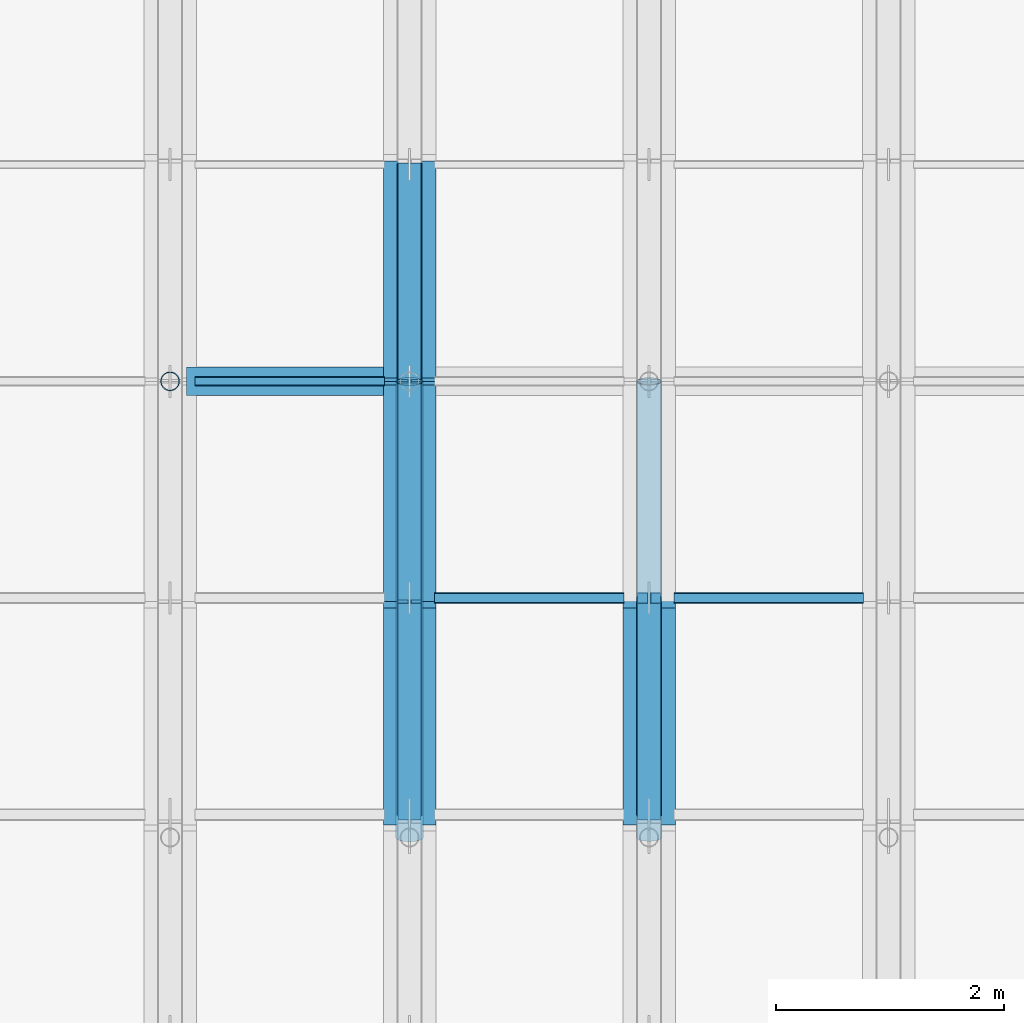
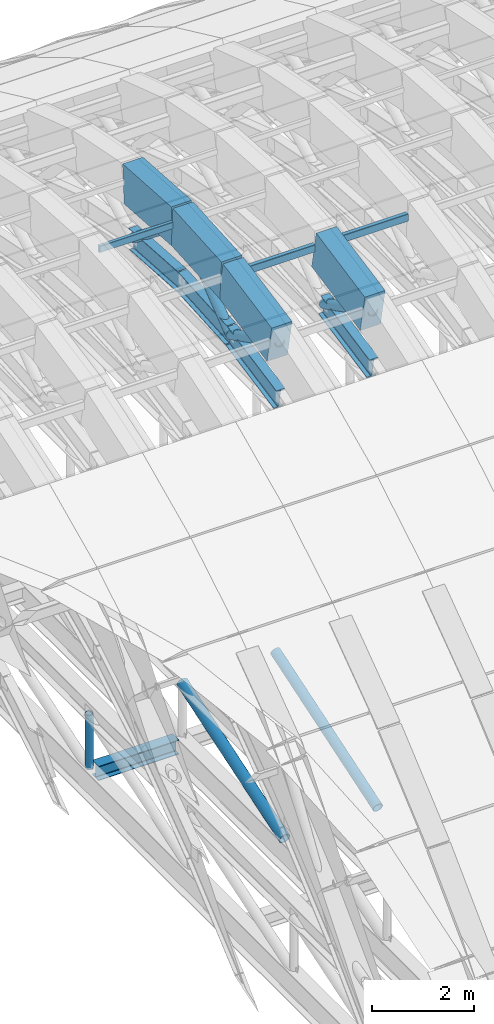
# One storey, part 16 of 67: 10 members, 9 beams.
"""IFC4 building model written with IfcOpenShell, lengths in metres."""

from ifc_helpers import new_model, si_unit, direction, frame, origin, origin_2d, place, context, subcontext, project, spatial, rectangle, hollow_rectangle, hollow_circle, i_section, extrude, material, material_profile, profile_set, type_object, element, save


model = new_model("IFC4")

# Units and contexts
model_context = context("Model", 3, precision=1e-05, world=origin(), true_north=direction((0.0, 1.0)))
body_context = subcontext(model_context, "Body", "Model", "MODEL_VIEW")
ifc_project = project(units=[si_unit("LENGTHUNIT", "METRE"), si_unit("AREAUNIT", "SQUARE_METRE"), si_unit("VOLUMEUNIT", "CUBIC_METRE"), si_unit("PLANEANGLEUNIT", "RADIAN"), si_unit("MASSUNIT", "GRAM", prefix="KILO")], contexts=[model_context])

# Site, building, storey
site_placement = place(None, origin())
site = spatial("IfcSite", under=ifc_project, at=site_placement, CompositionType="ELEMENT")
building_placement = place(site_placement, origin())
building = spatial("IfcBuilding", under=site, at=building_placement, Name="Shengluoqiao Park Theatre", CompositionType="ELEMENT")
storey_placement = place(building_placement, frame((0.0, 0.0, 28.60009765625)))
storey = spatial("IfcBuildingStorey", under=building, at=storey_placement, Name="Roof", CompositionType="ELEMENT", Elevation=28.60009765625)

# Beams
ifc_material_1 = material(Name="Concrete C50", Category="concrete")
ifc_material_profile_1 = material_profile(ifc_material_1, rectangle(XDim=0.4599609375, YDim=0.919921875, at=origin_2d()), Name="RC ARCH 460x920")
ifc_profile_set_1 = profile_set([ifc_material_profile_1], Name="Concrete C50")
beam_type_1 = type_object("IfcBeamType", Name="STR-BM-AR-4609", PredefinedType="BEAM", material=ifc_profile_set_1)
beam_1_placement = place(storey_placement, frame((65.39990234375, 91.199951171875, 2.075927734375), z_axis=(0.0, 0.980788534345, 0.195073962632), x_axis=(-1.0, 0.0, 0.0)))
element("IfcBeam", 1, at=beam_1_placement, inside=storey, type_object=beam_type_1, Name="Barrel-Shell Arch Rib R11-S09", PredefinedType="BEAM", context=body_context, shape_type="SweptSolid", body=[
    extrude(rectangle(XDim=0.4599609375, YDim=0.919921875, at=origin_2d()), origin(), (0.0, 0.0, 1.0), 1.937255859375),
])
for number, where, z_axis, x_axis, name in (
    (2, (65.39990234375, 93.10009765625, 2.453857421875), (0.0, 0.997808922354, 0.066161578506), (-1.0, 0.0, 0.0), "Barrel-Shell Arch Rib R11-S10"),
    (3, (65.39990234375, 95.0, 2.579833984375), (0.0, 0.997808922354, -0.066161578506), (-1.0, 0.0, 0.0), "Barrel-Shell Arch Rib R11-S11"),
):
    element("IfcBeam", number, at=place(storey_placement, frame(where, z_axis=z_axis, x_axis=x_axis)), inside=storey, type_object=beam_type_1, Name=name, PredefinedType="BEAM", context=body_context, shape_type="SweptSolid", body=[
        extrude(rectangle(XDim=0.4599609375, YDim=0.919921875, at=origin_2d()), origin(), (0.0, 0.0, 1.0), 1.904052734375),
    ])
beam_2_placement = place(storey_placement, frame((67.5, 91.199951171875, 2.075927734375), z_axis=(0.0, 0.980788534345, 0.195073962632), x_axis=(-1.0, 0.0, 0.0)))
element("IfcBeam", 4, at=beam_2_placement, inside=storey, type_object=beam_type_1, Name="Barrel-Shell Arch Rib R12-S09", PredefinedType="BEAM", context=body_context, shape_type="SweptSolid", body=[
    extrude(rectangle(XDim=0.4599609375, YDim=0.919921875, at=origin_2d()), origin(), (0.0, 0.0, 1.0), 1.937255859375),
])
ifc_material_2 = material(Name="Steel Q355", Category="steel")
ifc_material_profile_2 = material_profile(ifc_material_2, i_section(OverallWidth=0.25, OverallDepth=0.340087890625, WebThickness=0.009033203125, FlangeThickness=0.013916015625, FilletRadius=0.01611328125, at=origin_2d()), Name="HM 340x250x9x14")
ifc_profile_set_2 = profile_set([ifc_material_profile_2], Name="Steel Q355")
beam_type_2 = type_object("IfcBeamType", Name="STR-BM-G-HM340", PredefinedType="BEAM", material=ifc_profile_set_2)
beam_3_placement = place(storey_placement, frame((63.444091796875, 95.0, -9.77001953125), z_axis=(1.0, 0.0, 0.0), x_axis=(0.0, 1.0, 0.0)))
element("IfcBeam", 5, at=beam_3_placement, inside=storey, type_object=beam_type_2, Name="Auditorium Overhead Catwalk Girder R10-3", PredefinedType="BEAM", context=body_context, shape_type="SweptSolid", body=[
    extrude(i_section(OverallWidth=0.25, OverallDepth=0.340087890625, WebThickness=0.009033203125, FlangeThickness=0.013916015625, FilletRadius=0.01611328125, at=origin_2d()), origin(), (0.0, 0.0, 1.0), 1.81201171875),
])
ifc_material_profile_3 = material_profile(ifc_material_2, i_section(OverallWidth=0.199951171875, OverallDepth=0.5, WebThickness=0.010009765625, FlangeThickness=0.01611328125, FilletRadius=0.01806640625, at=origin_2d()), Name="HN 500x200x10x16")
ifc_profile_set_3 = profile_set([ifc_material_profile_3], Name="Steel Q355")
beam_type_3 = type_object("IfcBeamType", Name="STR-BM-J-HN500", PredefinedType="JOIST", material=ifc_profile_set_3)
beam_4_placement = place(storey_placement, frame((65.39990234375, 91.199951171875, 0.7158203125), z_axis=(0.0, 0.980764417124, 0.19519517951), x_axis=(-1.0, 0.0, 0.0)))
element("IfcBeam", 6, at=beam_4_placement, inside=storey, type_object=beam_type_3, Name="Barrel-Shell Lower Arch Chord R11-S09", PredefinedType="JOIST", context=body_context, shape_type="SweptSolid", body=[
    extrude(i_section(OverallWidth=0.199951171875, OverallDepth=0.5, WebThickness=0.010009765625, FlangeThickness=0.01611328125, FilletRadius=0.01806640625, at=origin_2d()), origin(), (0.0, 0.0, 1.0), 1.9375),
])
for number, where, z_axis, x_axis, name in (
    (7, (65.39990234375, 93.10009765625, 1.093994140625), (0.0, 0.997808922354, 0.066161578506), (-1.0, 0.0, 0.0), "Barrel-Shell Lower Arch Chord R11-S10"),
    (8, (65.39990234375, 95.0, 1.219970703125), (0.0, 0.997808922354, -0.066161578506), (-1.0, 0.0, 0.0), "Barrel-Shell Lower Arch Chord R11-S11"),
):
    element("IfcBeam", number, at=place(storey_placement, frame(where, z_axis=z_axis, x_axis=x_axis)), inside=storey, type_object=beam_type_3, Name=name, PredefinedType="JOIST", context=body_context, shape_type="SweptSolid", body=[
        extrude(i_section(OverallWidth=0.199951171875, OverallDepth=0.5, WebThickness=0.010009765625, FlangeThickness=0.01611328125, FilletRadius=0.01806640625, at=origin_2d()), origin(), (0.0, 0.0, 1.0), 1.904052734375),
    ])
beam_5_placement = place(storey_placement, frame((67.5, 91.199951171875, 0.7158203125), z_axis=(0.0, 0.980764417124, 0.19519517951), x_axis=(-1.0, 0.0, 0.0)))
element("IfcBeam", 9, at=beam_5_placement, inside=storey, type_object=beam_type_3, Name="Barrel-Shell Lower Arch Chord R12-S09", PredefinedType="JOIST", context=body_context, shape_type="SweptSolid", body=[
    extrude(i_section(OverallWidth=0.199951171875, OverallDepth=0.5, WebThickness=0.010009765625, FlangeThickness=0.01611328125, FilletRadius=0.01806640625, at=origin_2d()), origin(), (0.0, 0.0, 1.0), 1.9375),
])

# Members
ifc_material_profile_4 = material_profile(ifc_material_2, hollow_circle(Radius=0.109619140625, WallThickness=0.010009765625, at=origin_2d()), Name="CHS 219x10")
ifc_profile_set_4 = profile_set([ifc_material_profile_4], Name="Steel Q355")
member_type_1 = type_object("IfcMemberType", Name="STR-MEM-BRC-219", PredefinedType="BRACE", material=ifc_profile_set_4)
member_1_placement = place(storey_placement, frame((65.39990234375, 91.199951171875, 2.075927734375), z_axis=(0.0, 0.888389440766, -0.459090624535), x_axis=(-1.0, 0.0, 0.0)))
element("IfcMember", 10, at=member_1_placement, inside=storey, type_object=member_type_1, Name="Barrel-Shell Arch Truss Web 0209", PredefinedType="BRACE", context=body_context, shape_type="SweptSolid", body=[
    extrude(hollow_circle(Radius=0.109619140625, WallThickness=0.010009765625, at=origin_2d()), origin(), (0.0, 0.0, 1.0), 2.138916015625),
])
for number, where, z_axis, x_axis, name in (
    (11, (65.39990234375, 93.10009765625, 1.093994140625), (0.0, 0.787714283449, 0.616040751615), (-1.0, 0.0, 0.0), "Barrel-Shell Arch Truss Web 0210"),
    (12, (65.39990234375, 95.0, 2.579833984375), (0.0, 0.787714283449, -0.616040751615), (-1.0, 0.0, 0.0), "Barrel-Shell Arch Truss Web 0211"),
):
    element("IfcMember", number, at=place(storey_placement, frame(where, z_axis=z_axis, x_axis=x_axis)), inside=storey, type_object=member_type_1, Name=name, PredefinedType="BRACE", context=body_context, shape_type="SweptSolid", body=[
        extrude(hollow_circle(Radius=0.109619140625, WallThickness=0.010009765625, at=origin_2d()), origin(), (0.0, 0.0, 1.0), 2.411865234375),
    ])
member_2_placement = place(storey_placement, frame((67.5, 91.199951171875, 2.075927734375), z_axis=(0.0, 0.888389440766, -0.459090624535), x_axis=(-1.0, 0.0, 0.0)))
element("IfcMember", 13, at=member_2_placement, inside=storey, type_object=member_type_1, Name="Barrel-Shell Arch Truss Web 0229", PredefinedType="BRACE", context=body_context, shape_type="SweptSolid", body=[
    extrude(hollow_circle(Radius=0.109619140625, WallThickness=0.010009765625, at=origin_2d()), origin(), (0.0, 0.0, 1.0), 2.138916015625),
])
member_3_placement = place(storey_placement, frame((67.5, 91.0, -9.650146484375), z_axis=(0.0, 0.951030656115, 0.309096572498), x_axis=(-1.0, 0.0, 0.0)))
element("IfcMember", 14, at=member_3_placement, inside=storey, type_object=member_type_1, Name="Acoustic Tie Truss Diagonal 0047", PredefinedType="BRACE", context=body_context, shape_type="SweptSolid", body=[
    extrude(hollow_circle(Radius=0.109619140625, WallThickness=0.010009765625, at=origin_2d()), origin(), (0.0, 0.0, 1.0), 4.2060546875),
])
ifc_material_profile_5 = material_profile(ifc_material_2, hollow_circle(Radius=0.12255859375, WallThickness=0.010009765625, at=origin_2d()), Name="CHS 245x10")
ifc_profile_set_5 = profile_set([ifc_material_profile_5], Name="Steel Q355")
member_type_2 = type_object("IfcMemberType", Name="STR-MEM-BRC-245", PredefinedType="BRACE", material=ifc_profile_set_5)
member_4_placement = place(storey_placement, frame((65.39990234375, 91.0, -9.650146484375), z_axis=(0.0, 0.951030656115, 0.309096572498), x_axis=(-1.0, 0.0, 0.0)))
element("IfcMember", 15, at=member_4_placement, inside=storey, type_object=member_type_2, Name="Acoustic Tie Truss Diagonal 0030", PredefinedType="BRACE", context=body_context, shape_type="SweptSolid", body=[
    extrude(hollow_circle(Radius=0.12255859375, WallThickness=0.010009765625, at=origin_2d()), origin(), (0.0, 0.0, 1.0), 4.2060546875),
])
ifc_material_profile_6 = material_profile(ifc_material_2, hollow_rectangle(XDim=0.080078125, YDim=0.159912109375, WallThickness=0.006103515625, InnerFilletRadius=0.006103515625, OuterFilletRadius=0.011962890625, at=origin_2d()), Name="RHS 160x80x6")
ifc_profile_set_6 = profile_set([ifc_material_profile_6], Name="Steel Q355")
member_type_3 = type_object("IfcMemberType", Name="STR-MEM-PU-R160", PredefinedType="PURLIN", material=ifc_profile_set_6)
member_5_placement = place(storey_placement, frame((63.52001953125, 95.0, 2.639892578125), z_axis=(1.0, 0.0, 0.0), x_axis=(0.0, 1.0, 0.0)))
element("IfcMember", 16, at=member_5_placement, inside=storey, type_object=member_type_3, Name="Shell Longitudinal Purlin 0181", PredefinedType="PURLIN", context=body_context, shape_type="SweptSolid", body=[
    extrude(hollow_rectangle(XDim=0.080078125, YDim=0.159912109375, WallThickness=0.006103515625, InnerFilletRadius=0.006103515625, OuterFilletRadius=0.011962890625, at=origin_2d()), origin(), (0.0, 0.0, 1.0), 1.659912109375),
])
ifc_material_profile_7 = material_profile(ifc_material_2, hollow_rectangle(XDim=0.10009765625, YDim=0.179931640625, WallThickness=0.008056640625, InnerFilletRadius=0.008056640625, OuterFilletRadius=0.01611328125, at=origin_2d()), Name="RHS 180x100x8")
ifc_profile_set_7 = profile_set([ifc_material_profile_7], Name="Steel Q355")
member_type_4 = type_object("IfcMemberType", Name="STR-MEM-PU-R180", PredefinedType="PURLIN", material=ifc_profile_set_7)
for number, where, z_axis, x_axis, name in (
    (17, (65.6201171875, 93.10009765625, 2.513916015625), (1.0, 0.0, 0.0), (0.0, 1.0, 0.0), "Shell Longitudinal Purlin 0199"),
    (18, (67.719970703125, 93.10009765625, 2.513916015625), (1.0, 0.0, 0.0), (0.0, 1.0, 0.0), "Shell Longitudinal Purlin 0218"),
):
    element("IfcMember", number, at=place(storey_placement, frame(where, z_axis=z_axis, x_axis=x_axis)), inside=storey, type_object=member_type_4, Name=name, PredefinedType="PURLIN", context=body_context, shape_type="SweptSolid", body=[
        extrude(hollow_rectangle(XDim=0.10009765625, YDim=0.179931640625, WallThickness=0.008056640625, InnerFilletRadius=0.008056640625, OuterFilletRadius=0.01611328125, at=origin_2d()), origin(), (0.0, 0.0, 1.0), 1.659912109375),
    ])
ifc_material_profile_8 = material_profile(ifc_material_2, hollow_circle(Radius=0.083984375, WallThickness=0.008056640625, at=origin_2d()), Name="CHS 168x8")
ifc_profile_set_8 = profile_set([ifc_material_profile_8], Name="Steel Q355")
member_type_5 = type_object("IfcMemberType", Name="STR-MEM-STC-168", PredefinedType="STRUT", material=ifc_profile_set_8)
member_6_placement = place(storey_placement, frame((63.300048828125, 95.0, -9.650146484375), z_axis=(0.0, 0.0, 1.0), x_axis=(1.0, 0.0, 0.0)))
element("IfcMember", 19, at=member_6_placement, inside=storey, type_object=member_type_5, Name="Acoustic Tie Truss Strut 0005", PredefinedType="STRUT", context=body_context, shape_type="SweptSolid", body=[
    extrude(hollow_circle(Radius=0.083984375, WallThickness=0.008056640625, at=origin_2d()), origin(), (0.0, 0.0, 1.0), 1.300048828125),
])

save(model, "model.ifc")
